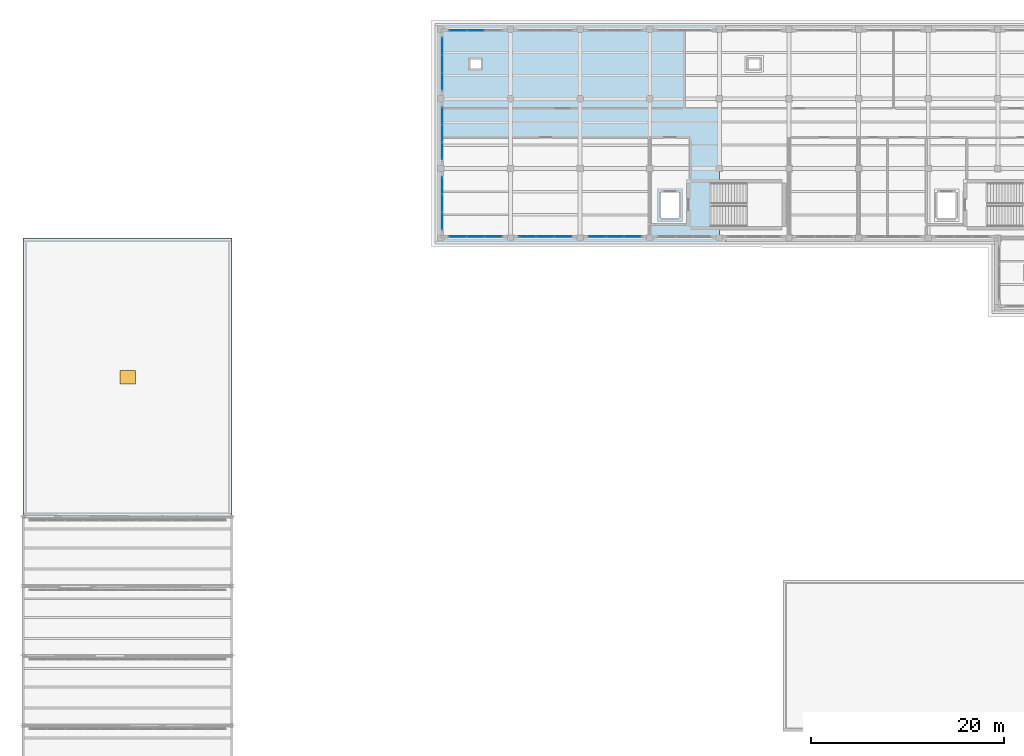
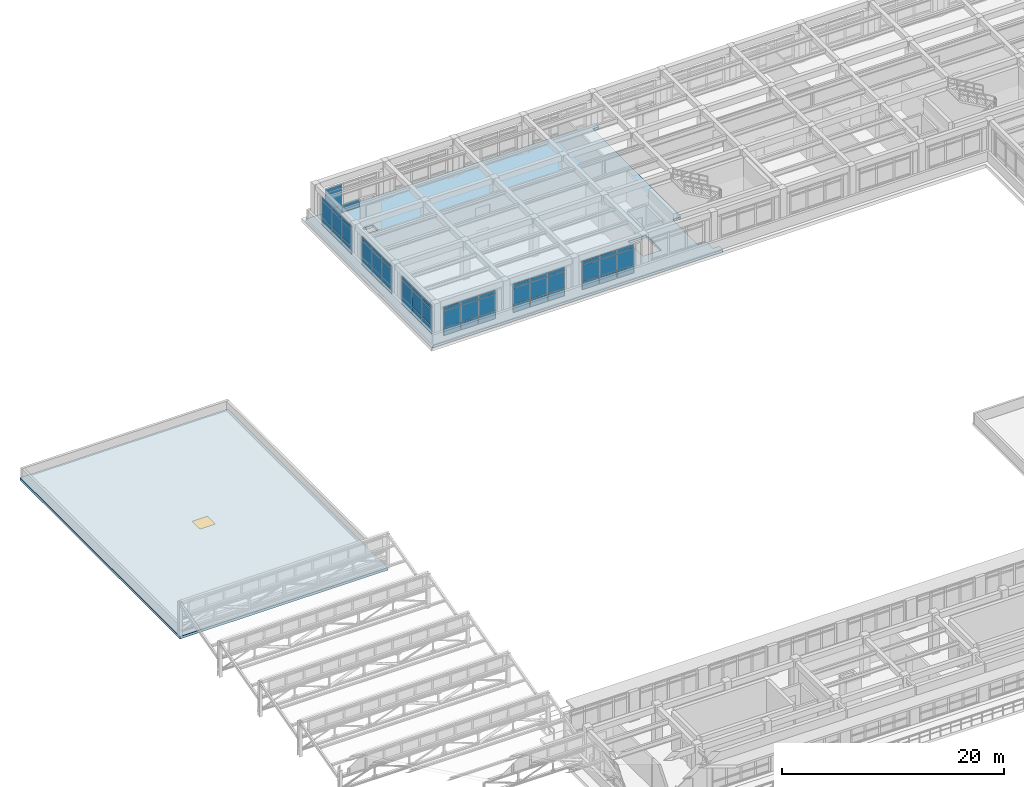
# One storey, part 38 of 55: 58 plates, 2 slabs, 1 window, 1 opening, 7 elements without a shape of their own.
"""IFC4 building model written with IfcOpenShell, lengths in metres."""

from ifc_helpers import new_model, si_unit, direction, frame, origin, origin_2d, place, context, subcontext, project, spatial, polyline, rectangle, outline, extrude, material, layer, layer_set, type_object, element, fill, aggregate, save


model = new_model("IFC4")

# Units and contexts
model_context = context("Model", 3, precision=1e-05, world=origin(), true_north=direction((0.0, 1.0)))
body_context = subcontext(model_context, "Body", "Model", "MODEL_VIEW")
ifc_project = project(units=[si_unit("LENGTHUNIT", "METRE"), si_unit("AREAUNIT", "SQUARE_METRE"), si_unit("VOLUMEUNIT", "CUBIC_METRE"), si_unit("PLANEANGLEUNIT", "RADIAN"), si_unit("MASSUNIT", "GRAM", prefix="KILO")], contexts=[model_context])

# Site, building, storey
site_placement = place(None, origin())
site = spatial("IfcSite", under=ifc_project, at=site_placement, CompositionType="ELEMENT")
building_placement = place(site_placement, origin())
building = spatial("IfcBuilding", under=site, at=building_placement, Name="Solenvale Faculty of Natural Sciences", CompositionType="ELEMENT")
storey_placement = place(building_placement, frame((0.0, 0.0, 22.5)))
storey = spatial("IfcBuildingStorey", under=building, at=storey_placement, Name="L05", CompositionType="ELEMENT", Elevation=22.5)

# Curtain wall, plates
ifc_material_1 = material(Name="Anodised bronze aluminium", Category="aluminium")
ifc_layer_1 = layer(ifc_material_1, 0.179931640625)
ifc_layer_set_1 = layer_set([ifc_layer_1], Name="Anodised bronze aluminium")
curtain_wall_type = type_object("IfcCurtainWallType", Name="CW-TWR-MOD", PredefinedType="USERDEFINED", material=ifc_layer_set_1)
curtain_wall_1_placement = place(storey_placement, origin())
curtain_wall_1 = element("IfcCurtainWall", 1, at=curtain_wall_1_placement, inside=storey, type_object=curtain_wall_type, Name="L05 Curtain Wall CW-L05-P2-E3-B10", ObjectType="UNITISED CURTAIN WALL", PredefinedType="USERDEFINED")
ifc_material_2 = material(Name="Triple low-E insulated glass", Category="glass")
ifc_layer_2 = layer(ifc_material_2, 0.0400390625)
ifc_layer_set_2 = layer_set([ifc_layer_2], Name="Triple low-E insulated glass")
plate_type_1 = type_object("IfcPlateType", Name="CWP-PNL-40", PredefinedType="CURTAIN_PANEL", material=ifc_layer_set_2)
plate_1_placement = place(storey_placement, frame((82.800048828125, 115.0576171875, 0.074951171875), z_axis=(0.0, 0.0, 1.0), x_axis=(-1.0, 0.0, 0.0)))
plate_1 = element("IfcPlate", 2, at=plate_1_placement, type_object=plate_type_1, Name="CW-04 panel 2.1", PredefinedType="CURTAIN_PANEL", context=body_context, shape_type="SweptSolid", body=[
    extrude(rectangle(XDim=1.75830078125, YDim=0.0400390625, at=origin_2d()), origin(), (0.0, 0.0, 1.0), 0.78759765625),
])
plate_2_placement = place(storey_placement, frame((80.9853515625, 115.0576171875, 0.074951171875), z_axis=(0.0, 0.0, 1.0), x_axis=(-1.0, 0.0, 0.0)))
plate_2 = element("IfcPlate", 3, at=plate_2_placement, type_object=plate_type_1, Name="CW-04 panel 3.1", PredefinedType="CURTAIN_PANEL", context=body_context, shape_type="SweptSolid", body=[
    extrude(rectangle(XDim=1.720947265625, YDim=0.0400390625, at=origin_2d()), origin(), (0.0, 0.0, 1.0), 0.78759765625),
])
plate_3_placement = place(storey_placement, frame((80.9853515625, 115.0576171875, 0.9375), z_axis=(0.0, 0.0, 1.0), x_axis=(-1.0, 0.0, 0.0)))
plate_3 = element("IfcPlate", 4, at=plate_3_placement, type_object=plate_type_1, Name="CW-04 panel 3.2", PredefinedType="CURTAIN_PANEL", context=body_context, shape_type="SweptSolid", body=[
    extrude(rectangle(XDim=1.720947265625, YDim=0.0400390625, at=origin_2d()), origin(), (0.0, 0.0, 1.0), 1.784912109375),
])
plate_4_placement = place(storey_placement, frame((80.9853515625, 115.0576171875, 2.79736328125), z_axis=(0.0, 0.0, 1.0), x_axis=(-1.0, 0.0, 0.0)))
plate_4 = element("IfcPlate", 5, at=plate_4_placement, type_object=plate_type_1, Name="CW-04 panel 3.3", PredefinedType="CURTAIN_PANEL", context=body_context, shape_type="SweptSolid", body=[
    extrude(rectangle(XDim=1.720947265625, YDim=0.0400390625, at=origin_2d()), origin(), (0.0, 0.0, 1.0), 0.387451171875),
])
aggregate(curtain_wall_1, [plate_1, plate_2, plate_3, plate_4])

curtain_wall_2_placement = place(storey_placement, origin())
curtain_wall_2 = element("IfcCurtainWall", 6, at=curtain_wall_2_placement, inside=storey, type_object=curtain_wall_type, Name="L05 Curtain Wall CW-L05-P2-E4-B1", ObjectType="UNITISED CURTAIN WALL", PredefinedType="USERDEFINED")
plate_5_placement = place(storey_placement, frame((79.342529296875, 113.41455078125, 0.074951171875), z_axis=(0.0, 0.0, 1.0), x_axis=(0.0, -1.0, 0.0)))
plate_5 = element("IfcPlate", 7, at=plate_5_placement, type_object=plate_type_1, Name="CW-04 panel 1.1", PredefinedType="CURTAIN_PANEL", context=body_context, shape_type="SweptSolid", body=[
    extrude(rectangle(XDim=1.720947265625, YDim=0.0400390625, at=origin_2d()), origin(), (0.0, 0.0, 1.0), 0.78759765625),
])
plate_6_placement = place(storey_placement, frame((79.342529296875, 113.41455078125, 0.9375), z_axis=(0.0, 0.0, 1.0), x_axis=(0.0, -1.0, 0.0)))
plate_6 = element("IfcPlate", 8, at=plate_6_placement, type_object=plate_type_1, Name="CW-04 panel 1.2", PredefinedType="CURTAIN_PANEL", context=body_context, shape_type="SweptSolid", body=[
    extrude(rectangle(XDim=1.720947265625, YDim=0.0400390625, at=origin_2d()), origin(), (0.0, 0.0, 1.0), 1.784912109375),
])
plate_7_placement = place(storey_placement, frame((79.342529296875, 113.41455078125, 2.79736328125), z_axis=(0.0, 0.0, 1.0), x_axis=(0.0, -1.0, 0.0)))
plate_7 = element("IfcPlate", 9, at=plate_7_placement, type_object=plate_type_1, Name="CW-04 panel 1.3", PredefinedType="CURTAIN_PANEL", context=body_context, shape_type="SweptSolid", body=[
    extrude(rectangle(XDim=1.720947265625, YDim=0.0400390625, at=origin_2d()), origin(), (0.0, 0.0, 1.0), 0.387451171875),
])
plate_8_placement = place(storey_placement, frame((79.342529296875, 111.60009765625, 0.074951171875), z_axis=(0.0, 0.0, 1.0), x_axis=(0.0, -1.0, 0.0)))
plate_8 = element("IfcPlate", 10, at=plate_8_placement, type_object=plate_type_1, Name="CW-04 panel 2.1", PredefinedType="CURTAIN_PANEL", context=body_context, shape_type="SweptSolid", body=[
    extrude(rectangle(XDim=1.75830078125, YDim=0.0400390625, at=origin_2d()), origin(), (0.0, 0.0, 1.0), 0.78759765625),
])
plate_9_placement = place(storey_placement, frame((79.342529296875, 111.60009765625, 0.9375), z_axis=(0.0, 0.0, 1.0), x_axis=(0.0, -1.0, 0.0)))
plate_9 = element("IfcPlate", 11, at=plate_9_placement, type_object=plate_type_1, Name="CW-04 panel 2.2", PredefinedType="CURTAIN_PANEL", context=body_context, shape_type="SweptSolid", body=[
    extrude(rectangle(XDim=1.75830078125, YDim=0.0400390625, at=origin_2d()), origin(), (0.0, 0.0, 1.0), 1.784912109375),
])
plate_10_placement = place(storey_placement, frame((79.342529296875, 111.60009765625, 2.79736328125), z_axis=(0.0, 0.0, 1.0), x_axis=(0.0, -1.0, 0.0)))
plate_10 = element("IfcPlate", 12, at=plate_10_placement, type_object=plate_type_1, Name="CW-04 panel 2.3", PredefinedType="CURTAIN_PANEL", context=body_context, shape_type="SweptSolid", body=[
    extrude(rectangle(XDim=1.75830078125, YDim=0.0400390625, at=origin_2d()), origin(), (0.0, 0.0, 1.0), 0.387451171875),
])
plate_11_placement = place(storey_placement, frame((79.342529296875, 109.785400390625, 0.074951171875), z_axis=(0.0, 0.0, 1.0), x_axis=(0.0, -1.0, 0.0)))
plate_11 = element("IfcPlate", 13, at=plate_11_placement, type_object=plate_type_1, Name="CW-04 panel 3.1", PredefinedType="CURTAIN_PANEL", context=body_context, shape_type="SweptSolid", body=[
    extrude(rectangle(XDim=1.720947265625, YDim=0.0400390625, at=origin_2d()), origin(), (0.0, 0.0, 1.0), 0.78759765625),
])
plate_12_placement = place(storey_placement, frame((79.342529296875, 109.785400390625, 0.9375), z_axis=(0.0, 0.0, 1.0), x_axis=(0.0, -1.0, 0.0)))
plate_12 = element("IfcPlate", 14, at=plate_12_placement, type_object=plate_type_1, Name="CW-04 panel 3.2", PredefinedType="CURTAIN_PANEL", context=body_context, shape_type="SweptSolid", body=[
    extrude(rectangle(XDim=1.720947265625, YDim=0.0400390625, at=origin_2d()), origin(), (0.0, 0.0, 1.0), 1.784912109375),
])
plate_13_placement = place(storey_placement, frame((79.342529296875, 109.785400390625, 2.79736328125), z_axis=(0.0, 0.0, 1.0), x_axis=(0.0, -1.0, 0.0)))
plate_13 = element("IfcPlate", 15, at=plate_13_placement, type_object=plate_type_1, Name="CW-04 panel 3.3", PredefinedType="CURTAIN_PANEL", context=body_context, shape_type="SweptSolid", body=[
    extrude(rectangle(XDim=1.720947265625, YDim=0.0400390625, at=origin_2d()), origin(), (0.0, 0.0, 1.0), 0.387451171875),
])
aggregate(curtain_wall_2, [plate_5, plate_6, plate_7, plate_8, plate_9, plate_10, plate_11, plate_12, plate_13])

curtain_wall_3_placement = place(storey_placement, origin())
curtain_wall_3 = element("IfcCurtainWall", 16, at=curtain_wall_3_placement, inside=storey, type_object=curtain_wall_type, Name="L05 Curtain Wall CW-L05-P2-E4-B2", ObjectType="UNITISED CURTAIN WALL", PredefinedType="USERDEFINED")
ifc_layer_3 = layer(ifc_material_2, 0.0439453125)
ifc_layer_set_3 = layer_set([ifc_layer_3], Name="Triple low-E insulated glass")
plate_type_2 = type_object("IfcPlateType", Name="CWP-PNL-44", PredefinedType="CURTAIN_PANEL", material=ifc_layer_set_3)
plate_14_placement = place(storey_placement, frame((79.342529296875, 106.214599609375, 0.074951171875), z_axis=(0.0, 0.0, 1.0), x_axis=(0.0, -1.0, 0.0)))
plate_14 = element("IfcPlate", 17, at=plate_14_placement, type_object=plate_type_2, Name="CW-04 panel 1.1", PredefinedType="CURTAIN_PANEL", context=body_context, shape_type="SweptSolid", body=[
    extrude(rectangle(XDim=1.720947265625, YDim=0.0439453125, at=origin_2d()), origin(), (0.0, 0.0, 1.0), 0.78759765625),
])
plate_15_placement = place(storey_placement, frame((79.342529296875, 106.214599609375, 0.9375), z_axis=(0.0, 0.0, 1.0), x_axis=(0.0, -1.0, 0.0)))
plate_15 = element("IfcPlate", 18, at=plate_15_placement, type_object=plate_type_2, Name="CW-04 panel 1.2", PredefinedType="CURTAIN_PANEL", context=body_context, shape_type="SweptSolid", body=[
    extrude(rectangle(XDim=1.720947265625, YDim=0.0439453125, at=origin_2d()), origin(), (0.0, 0.0, 1.0), 1.784912109375),
])
plate_16_placement = place(storey_placement, frame((79.342529296875, 106.214599609375, 2.79736328125), z_axis=(0.0, 0.0, 1.0), x_axis=(0.0, -1.0, 0.0)))
plate_16 = element("IfcPlate", 19, at=plate_16_placement, type_object=plate_type_2, Name="CW-04 panel 1.3", PredefinedType="CURTAIN_PANEL", context=body_context, shape_type="SweptSolid", body=[
    extrude(rectangle(XDim=1.720947265625, YDim=0.0439453125, at=origin_2d()), origin(), (0.0, 0.0, 1.0), 0.387451171875),
])
plate_17_placement = place(storey_placement, frame((79.342529296875, 104.39990234375, 0.074951171875), z_axis=(0.0, 0.0, 1.0), x_axis=(0.0, -1.0, 0.0)))
plate_17 = element("IfcPlate", 20, at=plate_17_placement, type_object=plate_type_2, Name="CW-04 panel 2.1", PredefinedType="CURTAIN_PANEL", context=body_context, shape_type="SweptSolid", body=[
    extrude(rectangle(XDim=1.75830078125, YDim=0.0439453125, at=origin_2d()), origin(), (0.0, 0.0, 1.0), 0.78759765625),
])
plate_18_placement = place(storey_placement, frame((79.342529296875, 104.39990234375, 0.9375), z_axis=(0.0, 0.0, 1.0), x_axis=(0.0, -1.0, 0.0)))
plate_18 = element("IfcPlate", 21, at=plate_18_placement, type_object=plate_type_2, Name="CW-04 panel 2.2", PredefinedType="CURTAIN_PANEL", context=body_context, shape_type="SweptSolid", body=[
    extrude(rectangle(XDim=1.75830078125, YDim=0.0439453125, at=origin_2d()), origin(), (0.0, 0.0, 1.0), 1.784912109375),
])
plate_19_placement = place(storey_placement, frame((79.342529296875, 104.39990234375, 2.79736328125), z_axis=(0.0, 0.0, 1.0), x_axis=(0.0, -1.0, 0.0)))
plate_19 = element("IfcPlate", 22, at=plate_19_placement, type_object=plate_type_2, Name="CW-04 panel 2.3", PredefinedType="CURTAIN_PANEL", context=body_context, shape_type="SweptSolid", body=[
    extrude(rectangle(XDim=1.75830078125, YDim=0.0439453125, at=origin_2d()), origin(), (0.0, 0.0, 1.0), 0.387451171875),
])
plate_20_placement = place(storey_placement, frame((79.342529296875, 102.58544921875, 0.074951171875), z_axis=(0.0, 0.0, 1.0), x_axis=(0.0, -1.0, 0.0)))
plate_20 = element("IfcPlate", 23, at=plate_20_placement, type_object=plate_type_2, Name="CW-04 panel 3.1", PredefinedType="CURTAIN_PANEL", context=body_context, shape_type="SweptSolid", body=[
    extrude(rectangle(XDim=1.720947265625, YDim=0.0439453125, at=origin_2d()), origin(), (0.0, 0.0, 1.0), 0.78759765625),
])
plate_21_placement = place(storey_placement, frame((79.342529296875, 102.58544921875, 0.9375), z_axis=(0.0, 0.0, 1.0), x_axis=(0.0, -1.0, 0.0)))
plate_21 = element("IfcPlate", 24, at=plate_21_placement, type_object=plate_type_2, Name="CW-04 panel 3.2", PredefinedType="CURTAIN_PANEL", context=body_context, shape_type="SweptSolid", body=[
    extrude(rectangle(XDim=1.720947265625, YDim=0.0439453125, at=origin_2d()), origin(), (0.0, 0.0, 1.0), 1.784912109375),
])
plate_22_placement = place(storey_placement, frame((79.342529296875, 102.58544921875, 2.79736328125), z_axis=(0.0, 0.0, 1.0), x_axis=(0.0, -1.0, 0.0)))
plate_22 = element("IfcPlate", 25, at=plate_22_placement, type_object=plate_type_2, Name="CW-04 panel 3.3", PredefinedType="CURTAIN_PANEL", context=body_context, shape_type="SweptSolid", body=[
    extrude(rectangle(XDim=1.720947265625, YDim=0.0439453125, at=origin_2d()), origin(), (0.0, 0.0, 1.0), 0.387451171875),
])
aggregate(curtain_wall_3, [plate_14, plate_15, plate_16, plate_17, plate_18, plate_19, plate_20, plate_21, plate_22])

curtain_wall_4_placement = place(storey_placement, origin())
curtain_wall_4 = element("IfcCurtainWall", 26, at=curtain_wall_4_placement, inside=storey, type_object=curtain_wall_type, Name="L05 Curtain Wall CW-L05-P2-E5-B1", ObjectType="UNITISED CURTAIN WALL", PredefinedType="USERDEFINED")
plate_23_placement = place(storey_placement, frame((80.9853515625, 93.742431640625, 0.074951171875), z_axis=(0.0, 0.0, 1.0), x_axis=(1.0, 0.0, 0.0)))
plate_23 = element("IfcPlate", 27, at=plate_23_placement, type_object=plate_type_2, Name="CW-04 panel 1.1", PredefinedType="CURTAIN_PANEL", context=body_context, shape_type="SweptSolid", body=[
    extrude(rectangle(XDim=1.720947265625, YDim=0.0439453125, at=origin_2d()), origin(), (0.0, 0.0, 1.0), 0.78759765625),
])
plate_24_placement = place(storey_placement, frame((80.9853515625, 93.742431640625, 0.9375), z_axis=(0.0, 0.0, 1.0), x_axis=(1.0, 0.0, 0.0)))
plate_24 = element("IfcPlate", 28, at=plate_24_placement, type_object=plate_type_2, Name="CW-04 panel 1.2", PredefinedType="CURTAIN_PANEL", context=body_context, shape_type="SweptSolid", body=[
    extrude(rectangle(XDim=1.720947265625, YDim=0.0439453125, at=origin_2d()), origin(), (0.0, 0.0, 1.0), 1.784912109375),
])
plate_25_placement = place(storey_placement, frame((80.9853515625, 93.742431640625, 2.79736328125), z_axis=(0.0, 0.0, 1.0), x_axis=(1.0, 0.0, 0.0)))
plate_25 = element("IfcPlate", 29, at=plate_25_placement, type_object=plate_type_2, Name="CW-04 panel 1.3", PredefinedType="CURTAIN_PANEL", context=body_context, shape_type="SweptSolid", body=[
    extrude(rectangle(XDim=1.720947265625, YDim=0.0439453125, at=origin_2d()), origin(), (0.0, 0.0, 1.0), 0.387451171875),
])
plate_26_placement = place(storey_placement, frame((82.800048828125, 93.742431640625, 0.074951171875), z_axis=(0.0, 0.0, 1.0), x_axis=(1.0, 0.0, 0.0)))
plate_26 = element("IfcPlate", 30, at=plate_26_placement, type_object=plate_type_2, Name="CW-04 panel 2.1", PredefinedType="CURTAIN_PANEL", context=body_context, shape_type="SweptSolid", body=[
    extrude(rectangle(XDim=1.75830078125, YDim=0.0439453125, at=origin_2d()), origin(), (0.0, 0.0, 1.0), 0.78759765625),
])
plate_27_placement = place(storey_placement, frame((82.800048828125, 93.742431640625, 0.9375), z_axis=(0.0, 0.0, 1.0), x_axis=(1.0, 0.0, 0.0)))
plate_27 = element("IfcPlate", 31, at=plate_27_placement, type_object=plate_type_2, Name="CW-04 panel 2.2", PredefinedType="CURTAIN_PANEL", context=body_context, shape_type="SweptSolid", body=[
    extrude(rectangle(XDim=1.75830078125, YDim=0.0439453125, at=origin_2d()), origin(), (0.0, 0.0, 1.0), 1.784912109375),
])
plate_28_placement = place(storey_placement, frame((82.800048828125, 93.742431640625, 2.79736328125), z_axis=(0.0, 0.0, 1.0), x_axis=(1.0, 0.0, 0.0)))
plate_28 = element("IfcPlate", 32, at=plate_28_placement, type_object=plate_type_2, Name="CW-04 panel 2.3", PredefinedType="CURTAIN_PANEL", context=body_context, shape_type="SweptSolid", body=[
    extrude(rectangle(XDim=1.75830078125, YDim=0.0439453125, at=origin_2d()), origin(), (0.0, 0.0, 1.0), 0.387451171875),
])
plate_29_placement = place(storey_placement, frame((84.614501953125, 93.742431640625, 0.074951171875), z_axis=(0.0, 0.0, 1.0), x_axis=(1.0, 0.0, 0.0)))
plate_29 = element("IfcPlate", 33, at=plate_29_placement, type_object=plate_type_2, Name="CW-04 panel 3.1", PredefinedType="CURTAIN_PANEL", context=body_context, shape_type="SweptSolid", body=[
    extrude(rectangle(XDim=1.720947265625, YDim=0.0439453125, at=origin_2d()), origin(), (0.0, 0.0, 1.0), 0.78759765625),
])
plate_30_placement = place(storey_placement, frame((84.614501953125, 93.742431640625, 0.9375), z_axis=(0.0, 0.0, 1.0), x_axis=(1.0, 0.0, 0.0)))
plate_30 = element("IfcPlate", 34, at=plate_30_placement, type_object=plate_type_2, Name="CW-04 panel 3.2", PredefinedType="CURTAIN_PANEL", context=body_context, shape_type="SweptSolid", body=[
    extrude(rectangle(XDim=1.720947265625, YDim=0.0439453125, at=origin_2d()), origin(), (0.0, 0.0, 1.0), 1.784912109375),
])
plate_31_placement = place(storey_placement, frame((84.614501953125, 93.742431640625, 2.79736328125), z_axis=(0.0, 0.0, 1.0), x_axis=(1.0, 0.0, 0.0)))
plate_31 = element("IfcPlate", 35, at=plate_31_placement, type_object=plate_type_2, Name="CW-04 panel 3.3", PredefinedType="CURTAIN_PANEL", context=body_context, shape_type="SweptSolid", body=[
    extrude(rectangle(XDim=1.720947265625, YDim=0.0439453125, at=origin_2d()), origin(), (0.0, 0.0, 1.0), 0.387451171875),
])
aggregate(curtain_wall_4, [plate_23, plate_24, plate_25, plate_26, plate_27, plate_28, plate_29, plate_30, plate_31])

curtain_wall_5_placement = place(storey_placement, origin())
curtain_wall_5 = element("IfcCurtainWall", 36, at=curtain_wall_5_placement, inside=storey, type_object=curtain_wall_type, Name="L05 Curtain Wall CW-L05-P2-E4-B3", ObjectType="UNITISED CURTAIN WALL", PredefinedType="USERDEFINED")
ifc_layer_4 = layer(ifc_material_1, 0.048095703125)
ifc_layer_set_4 = layer_set([ifc_layer_4], Name="Anodised bronze aluminium")
plate_type_3 = type_object("IfcPlateType", Name="CWP-PNL-48", PredefinedType="CURTAIN_PANEL", material=ifc_layer_set_4)
plate_32_placement = place(storey_placement, frame((79.342529296875, 99.0146484375, 0.074951171875), z_axis=(0.0, 0.0, 1.0), x_axis=(0.0, -1.0, 0.0)))
plate_32 = element("IfcPlate", 37, at=plate_32_placement, type_object=plate_type_3, Name="CW-04 panel 1.1", PredefinedType="CURTAIN_PANEL", context=body_context, shape_type="SweptSolid", body=[
    extrude(rectangle(XDim=1.720947265625, YDim=0.048095703125, at=origin_2d()), origin(), (0.0, 0.0, 1.0), 0.78759765625),
])
plate_33_placement = place(storey_placement, frame((79.342529296875, 99.0146484375, 0.9375), z_axis=(0.0, 0.0, 1.0), x_axis=(0.0, -1.0, 0.0)))
plate_33 = element("IfcPlate", 38, at=plate_33_placement, type_object=plate_type_3, Name="CW-04 panel 1.2", PredefinedType="CURTAIN_PANEL", context=body_context, shape_type="SweptSolid", body=[
    extrude(rectangle(XDim=1.720947265625, YDim=0.048095703125, at=origin_2d()), origin(), (0.0, 0.0, 1.0), 1.784912109375),
])
plate_34_placement = place(storey_placement, frame((79.342529296875, 99.0146484375, 2.79736328125), z_axis=(0.0, 0.0, 1.0), x_axis=(0.0, -1.0, 0.0)))
plate_34 = element("IfcPlate", 39, at=plate_34_placement, type_object=plate_type_3, Name="CW-04 panel 1.3", PredefinedType="CURTAIN_PANEL", context=body_context, shape_type="SweptSolid", body=[
    extrude(rectangle(XDim=1.720947265625, YDim=0.048095703125, at=origin_2d()), origin(), (0.0, 0.0, 1.0), 0.387451171875),
])
plate_35_placement = place(storey_placement, frame((79.342529296875, 97.199951171875, 0.074951171875), z_axis=(0.0, 0.0, 1.0), x_axis=(0.0, -1.0, 0.0)))
plate_35 = element("IfcPlate", 40, at=plate_35_placement, type_object=plate_type_3, Name="CW-04 panel 2.1", PredefinedType="CURTAIN_PANEL", context=body_context, shape_type="SweptSolid", body=[
    extrude(rectangle(XDim=1.75830078125, YDim=0.048095703125, at=origin_2d()), origin(), (0.0, 0.0, 1.0), 0.78759765625),
])
plate_36_placement = place(storey_placement, frame((79.342529296875, 97.199951171875, 0.9375), z_axis=(0.0, 0.0, 1.0), x_axis=(0.0, -1.0, 0.0)))
plate_36 = element("IfcPlate", 41, at=plate_36_placement, type_object=plate_type_3, Name="CW-04 panel 2.2", PredefinedType="CURTAIN_PANEL", context=body_context, shape_type="SweptSolid", body=[
    extrude(rectangle(XDim=1.75830078125, YDim=0.048095703125, at=origin_2d()), origin(), (0.0, 0.0, 1.0), 1.784912109375),
])
plate_37_placement = place(storey_placement, frame((79.342529296875, 97.199951171875, 2.79736328125), z_axis=(0.0, 0.0, 1.0), x_axis=(0.0, -1.0, 0.0)))
plate_37 = element("IfcPlate", 42, at=plate_37_placement, type_object=plate_type_3, Name="CW-04 panel 2.3", PredefinedType="CURTAIN_PANEL", context=body_context, shape_type="SweptSolid", body=[
    extrude(rectangle(XDim=1.75830078125, YDim=0.048095703125, at=origin_2d()), origin(), (0.0, 0.0, 1.0), 0.387451171875),
])
plate_38_placement = place(storey_placement, frame((79.342529296875, 95.385498046875, 0.074951171875), z_axis=(0.0, 0.0, 1.0), x_axis=(0.0, -1.0, 0.0)))
plate_38 = element("IfcPlate", 43, at=plate_38_placement, type_object=plate_type_3, Name="CW-04 panel 3.1", PredefinedType="CURTAIN_PANEL", context=body_context, shape_type="SweptSolid", body=[
    extrude(rectangle(XDim=1.720947265625, YDim=0.048095703125, at=origin_2d()), origin(), (0.0, 0.0, 1.0), 0.78759765625),
])
plate_39_placement = place(storey_placement, frame((79.342529296875, 95.385498046875, 0.9375), z_axis=(0.0, 0.0, 1.0), x_axis=(0.0, -1.0, 0.0)))
plate_39 = element("IfcPlate", 44, at=plate_39_placement, type_object=plate_type_3, Name="CW-04 panel 3.2", PredefinedType="CURTAIN_PANEL", context=body_context, shape_type="SweptSolid", body=[
    extrude(rectangle(XDim=1.720947265625, YDim=0.048095703125, at=origin_2d()), origin(), (0.0, 0.0, 1.0), 1.784912109375),
])
plate_40_placement = place(storey_placement, frame((79.342529296875, 95.385498046875, 2.79736328125), z_axis=(0.0, 0.0, 1.0), x_axis=(0.0, -1.0, 0.0)))
plate_40 = element("IfcPlate", 45, at=plate_40_placement, type_object=plate_type_3, Name="CW-04 panel 3.3", PredefinedType="CURTAIN_PANEL", context=body_context, shape_type="SweptSolid", body=[
    extrude(rectangle(XDim=1.720947265625, YDim=0.048095703125, at=origin_2d()), origin(), (0.0, 0.0, 1.0), 0.387451171875),
])
aggregate(curtain_wall_5, [plate_32, plate_33, plate_34, plate_35, plate_36, plate_37, plate_38, plate_39, plate_40])

curtain_wall_6_placement = place(storey_placement, origin())
curtain_wall_6 = element("IfcCurtainWall", 46, at=curtain_wall_6_placement, inside=storey, type_object=curtain_wall_type, Name="L05 Curtain Wall CW-L05-P2-E5-B2", ObjectType="UNITISED CURTAIN WALL", PredefinedType="USERDEFINED")
plate_41_placement = place(storey_placement, frame((88.185302734375, 93.742431640625, 0.074951171875), z_axis=(0.0, 0.0, 1.0), x_axis=(1.0, 0.0, 0.0)))
plate_41 = element("IfcPlate", 47, at=plate_41_placement, type_object=plate_type_3, Name="CW-04 panel 1.1", PredefinedType="CURTAIN_PANEL", context=body_context, shape_type="SweptSolid", body=[
    extrude(rectangle(XDim=1.720947265625, YDim=0.048095703125, at=origin_2d()), origin(), (0.0, 0.0, 1.0), 0.78759765625),
])
plate_42_placement = place(storey_placement, frame((88.185302734375, 93.742431640625, 0.9375), z_axis=(0.0, 0.0, 1.0), x_axis=(1.0, 0.0, 0.0)))
plate_42 = element("IfcPlate", 48, at=plate_42_placement, type_object=plate_type_3, Name="CW-04 panel 1.2", PredefinedType="CURTAIN_PANEL", context=body_context, shape_type="SweptSolid", body=[
    extrude(rectangle(XDim=1.720947265625, YDim=0.048095703125, at=origin_2d()), origin(), (0.0, 0.0, 1.0), 1.784912109375),
])
plate_43_placement = place(storey_placement, frame((88.185302734375, 93.742431640625, 2.79736328125), z_axis=(0.0, 0.0, 1.0), x_axis=(1.0, 0.0, 0.0)))
plate_43 = element("IfcPlate", 49, at=plate_43_placement, type_object=plate_type_3, Name="CW-04 panel 1.3", PredefinedType="CURTAIN_PANEL", context=body_context, shape_type="SweptSolid", body=[
    extrude(rectangle(XDim=1.720947265625, YDim=0.048095703125, at=origin_2d()), origin(), (0.0, 0.0, 1.0), 0.387451171875),
])
plate_44_placement = place(storey_placement, frame((90.0, 93.742431640625, 0.074951171875), z_axis=(0.0, 0.0, 1.0), x_axis=(1.0, 0.0, 0.0)))
plate_44 = element("IfcPlate", 50, at=plate_44_placement, type_object=plate_type_3, Name="CW-04 panel 2.1", PredefinedType="CURTAIN_PANEL", context=body_context, shape_type="SweptSolid", body=[
    extrude(rectangle(XDim=1.75830078125, YDim=0.048095703125, at=origin_2d()), origin(), (0.0, 0.0, 1.0), 0.78759765625),
])
plate_45_placement = place(storey_placement, frame((90.0, 93.742431640625, 0.9375), z_axis=(0.0, 0.0, 1.0), x_axis=(1.0, 0.0, 0.0)))
plate_45 = element("IfcPlate", 51, at=plate_45_placement, type_object=plate_type_3, Name="CW-04 panel 2.2", PredefinedType="CURTAIN_PANEL", context=body_context, shape_type="SweptSolid", body=[
    extrude(rectangle(XDim=1.75830078125, YDim=0.048095703125, at=origin_2d()), origin(), (0.0, 0.0, 1.0), 1.784912109375),
])
plate_46_placement = place(storey_placement, frame((90.0, 93.742431640625, 2.79736328125), z_axis=(0.0, 0.0, 1.0), x_axis=(1.0, 0.0, 0.0)))
plate_46 = element("IfcPlate", 52, at=plate_46_placement, type_object=plate_type_3, Name="CW-04 panel 2.3", PredefinedType="CURTAIN_PANEL", context=body_context, shape_type="SweptSolid", body=[
    extrude(rectangle(XDim=1.75830078125, YDim=0.048095703125, at=origin_2d()), origin(), (0.0, 0.0, 1.0), 0.387451171875),
])
plate_47_placement = place(storey_placement, frame((91.814697265625, 93.742431640625, 0.074951171875), z_axis=(0.0, 0.0, 1.0), x_axis=(1.0, 0.0, 0.0)))
plate_47 = element("IfcPlate", 53, at=plate_47_placement, type_object=plate_type_3, Name="CW-04 panel 3.1", PredefinedType="CURTAIN_PANEL", context=body_context, shape_type="SweptSolid", body=[
    extrude(rectangle(XDim=1.720947265625, YDim=0.048095703125, at=origin_2d()), origin(), (0.0, 0.0, 1.0), 0.78759765625),
])
plate_48_placement = place(storey_placement, frame((91.814697265625, 93.742431640625, 0.9375), z_axis=(0.0, 0.0, 1.0), x_axis=(1.0, 0.0, 0.0)))
plate_48 = element("IfcPlate", 54, at=plate_48_placement, type_object=plate_type_3, Name="CW-04 panel 3.2", PredefinedType="CURTAIN_PANEL", context=body_context, shape_type="SweptSolid", body=[
    extrude(rectangle(XDim=1.720947265625, YDim=0.048095703125, at=origin_2d()), origin(), (0.0, 0.0, 1.0), 1.784912109375),
])
plate_49_placement = place(storey_placement, frame((91.814697265625, 93.742431640625, 2.79736328125), z_axis=(0.0, 0.0, 1.0), x_axis=(1.0, 0.0, 0.0)))
plate_49 = element("IfcPlate", 55, at=plate_49_placement, type_object=plate_type_3, Name="CW-04 panel 3.3", PredefinedType="CURTAIN_PANEL", context=body_context, shape_type="SweptSolid", body=[
    extrude(rectangle(XDim=1.720947265625, YDim=0.048095703125, at=origin_2d()), origin(), (0.0, 0.0, 1.0), 0.387451171875),
])
aggregate(curtain_wall_6, [plate_41, plate_42, plate_43, plate_44, plate_45, plate_46, plate_47, plate_48, plate_49])

curtain_wall_7_placement = place(storey_placement, origin())
curtain_wall_7 = element("IfcCurtainWall", 56, at=curtain_wall_7_placement, inside=storey, type_object=curtain_wall_type, Name="L05 Curtain Wall CW-L05-P2-E5-B3", ObjectType="UNITISED CURTAIN WALL", PredefinedType="USERDEFINED")
ifc_layer_5 = layer(ifc_material_1, 0.053955078125)
ifc_layer_set_5 = layer_set([ifc_layer_5], Name="Anodised bronze aluminium")
plate_type_4 = type_object("IfcPlateType", Name="CWP-PNL-54", PredefinedType="CURTAIN_PANEL", material=ifc_layer_set_5)
plate_50_placement = place(storey_placement, frame((95.385498046875, 93.742431640625, 0.074951171875), z_axis=(0.0, 0.0, 1.0), x_axis=(1.0, 0.0, 0.0)))
plate_50 = element("IfcPlate", 57, at=plate_50_placement, type_object=plate_type_4, Name="CW-04 panel 1.1", PredefinedType="CURTAIN_PANEL", context=body_context, shape_type="SweptSolid", body=[
    extrude(rectangle(XDim=1.720947265625, YDim=0.053955078125, at=origin_2d()), origin(), (0.0, 0.0, 1.0), 0.78759765625),
])
plate_51_placement = place(storey_placement, frame((95.385498046875, 93.742431640625, 0.9375), z_axis=(0.0, 0.0, 1.0), x_axis=(1.0, 0.0, 0.0)))
plate_51 = element("IfcPlate", 58, at=plate_51_placement, type_object=plate_type_4, Name="CW-04 panel 1.2", PredefinedType="CURTAIN_PANEL", context=body_context, shape_type="SweptSolid", body=[
    extrude(rectangle(XDim=1.720947265625, YDim=0.053955078125, at=origin_2d()), origin(), (0.0, 0.0, 1.0), 1.784912109375),
])
plate_52_placement = place(storey_placement, frame((95.385498046875, 93.742431640625, 2.79736328125), z_axis=(0.0, 0.0, 1.0), x_axis=(1.0, 0.0, 0.0)))
plate_52 = element("IfcPlate", 59, at=plate_52_placement, type_object=plate_type_4, Name="CW-04 panel 1.3", PredefinedType="CURTAIN_PANEL", context=body_context, shape_type="SweptSolid", body=[
    extrude(rectangle(XDim=1.720947265625, YDim=0.053955078125, at=origin_2d()), origin(), (0.0, 0.0, 1.0), 0.387451171875),
])
plate_53_placement = place(storey_placement, frame((97.199951171875, 93.742431640625, 0.074951171875), z_axis=(0.0, 0.0, 1.0), x_axis=(1.0, 0.0, 0.0)))
plate_53 = element("IfcPlate", 60, at=plate_53_placement, type_object=plate_type_4, Name="CW-04 panel 2.1", PredefinedType="CURTAIN_PANEL", context=body_context, shape_type="SweptSolid", body=[
    extrude(rectangle(XDim=1.75830078125, YDim=0.053955078125, at=origin_2d()), origin(), (0.0, 0.0, 1.0), 0.78759765625),
])
plate_54_placement = place(storey_placement, frame((97.199951171875, 93.742431640625, 0.9375), z_axis=(0.0, 0.0, 1.0), x_axis=(1.0, 0.0, 0.0)))
plate_54 = element("IfcPlate", 61, at=plate_54_placement, type_object=plate_type_4, Name="CW-04 panel 2.2", PredefinedType="CURTAIN_PANEL", context=body_context, shape_type="SweptSolid", body=[
    extrude(rectangle(XDim=1.75830078125, YDim=0.053955078125, at=origin_2d()), origin(), (0.0, 0.0, 1.0), 1.784912109375),
])
plate_55_placement = place(storey_placement, frame((97.199951171875, 93.742431640625, 2.79736328125), z_axis=(0.0, 0.0, 1.0), x_axis=(1.0, 0.0, 0.0)))
plate_55 = element("IfcPlate", 62, at=plate_55_placement, type_object=plate_type_4, Name="CW-04 panel 2.3", PredefinedType="CURTAIN_PANEL", context=body_context, shape_type="SweptSolid", body=[
    extrude(rectangle(XDim=1.75830078125, YDim=0.053955078125, at=origin_2d()), origin(), (0.0, 0.0, 1.0), 0.387451171875),
])
plate_56_placement = place(storey_placement, frame((99.0146484375, 93.742431640625, 0.074951171875), z_axis=(0.0, 0.0, 1.0), x_axis=(1.0, 0.0, 0.0)))
plate_56 = element("IfcPlate", 63, at=plate_56_placement, type_object=plate_type_4, Name="CW-04 panel 3.1", PredefinedType="CURTAIN_PANEL", context=body_context, shape_type="SweptSolid", body=[
    extrude(rectangle(XDim=1.720947265625, YDim=0.053955078125, at=origin_2d()), origin(), (0.0, 0.0, 1.0), 0.78759765625),
])
plate_57_placement = place(storey_placement, frame((99.0146484375, 93.742431640625, 0.9375), z_axis=(0.0, 0.0, 1.0), x_axis=(1.0, 0.0, 0.0)))
plate_57 = element("IfcPlate", 64, at=plate_57_placement, type_object=plate_type_4, Name="CW-04 panel 3.2", PredefinedType="CURTAIN_PANEL", context=body_context, shape_type="SweptSolid", body=[
    extrude(rectangle(XDim=1.720947265625, YDim=0.053955078125, at=origin_2d()), origin(), (0.0, 0.0, 1.0), 1.784912109375),
])
plate_58_placement = place(storey_placement, frame((99.0146484375, 93.742431640625, 2.79736328125), z_axis=(0.0, 0.0, 1.0), x_axis=(1.0, 0.0, 0.0)))
plate_58 = element("IfcPlate", 65, at=plate_58_placement, type_object=plate_type_4, Name="CW-04 panel 3.3", PredefinedType="CURTAIN_PANEL", context=body_context, shape_type="SweptSolid", body=[
    extrude(rectangle(XDim=1.720947265625, YDim=0.053955078125, at=origin_2d()), origin(), (0.0, 0.0, 1.0), 0.387451171875),
])
aggregate(curtain_wall_7, [plate_50, plate_51, plate_52, plate_53, plate_54, plate_55, plate_56, plate_57, plate_58])

# Slab
ifc_material_3 = material(Name="Concrete 40 MPa", Category="concrete")
ifc_layer_6 = layer(ifc_material_3, 0.280029296875)
ifc_layer_set_6 = layer_set([ifc_layer_6], Name="Concrete 40 MPa")
slab_type_1 = type_object("IfcSlabType", Name="SL-FLR-280", PredefinedType="FLOOR", material=ifc_layer_set_6)
slab_1_placement = place(storey_placement, frame((0.0, 0.0, -0.280029296875)))
element("IfcSlab", 66, at=slab_1_placement, inside=storey, type_object=slab_type_1, Name="L05 V5 Floor Slab 1.1", PredefinedType="FLOOR", context=body_context, shape_type="SweptSolid", body=[
    extrude(outline(polyline([(107.139892578125, 94.800048828125), (108.0048828125, 94.800048828125), (108.0244140625, 94.791015625), (108.030029296875, 94.77490234375), (108.031005859375, 93.593505859375), (108.0498046875, 93.580078125), (108.655029296875, 93.580078125), (108.672607421875, 93.57275390625), (108.679931640625, 93.554931640625), (108.679931640625, 92.945068359375), (108.6708984375, 92.92578125), (108.655029296875, 92.919921875), (78.531005859375, 92.92431640625), (78.52001953125, 92.945068359375), (78.524169921875, 115.868896484375), (78.544921875, 115.8798828125), (108.6689453125, 115.875732421875), (108.679931640625, 115.85498046875), (108.679931640625, 115.2451171875), (108.672607421875, 115.227294921875), (108.655029296875, 115.219970703125), (108.0498046875, 115.219970703125), (108.036376953125, 115.214599609375), (108.030029296875, 115.201416015625), (108.030029296875, 99.324951171875), (108.022705078125, 99.307373046875), (108.0048828125, 99.300048828125), (107.139892578125, 99.300048828125), (107.139892578125, 94.800048828125)]), holes=[polyline([(101.9599609375, 95.659912109375), (103.840087890625, 95.659912109375), (103.840087890625, 98.340087890625), (101.9599609375, 98.340087890625), (101.9599609375, 95.659912109375)]), polyline([(82.25, 111.14990234375), (83.35009765625, 111.14990234375), (83.35009765625, 112.050048828125), (82.25, 112.050048828125), (82.25, 111.14990234375)])]), origin(), (0.0, 0.0, 1.0), 0.280029296875),
])

# Slab, opening, window
ifc_layer_7 = layer(ifc_material_3, 0.280029296875)
ifc_layer_set_7 = layer_set([ifc_layer_7], Name="Concrete 40 MPa")
slab_type_2 = type_object("IfcSlabType", Name="SL-ROOF-280", PredefinedType="ROOF", material=ifc_layer_set_7)
slab_2_placement = place(storey_placement, frame((0.0, 0.0, -0.280029296875)))
slab_2 = element("IfcSlab", 67, at=slab_2_placement, inside=storey, type_object=slab_type_2, Name="L05 Flat Roof Deck 2", PredefinedType="ROOF", context=body_context, shape_type="SweptSolid", body=[
    extrude(outline(polyline([(36.0, 64.800048828125), (36.0, 93.60009765625), (57.60009765625, 93.60009765625), (57.60009765625, 64.800048828125), (36.0, 64.800048828125)])), origin(), (0.0, 0.0, 1.0), 0.280029296875),
])
opening_placement = place(slab_2_placement, frame((46.800048828125, 79.199951171875, -0.010009765625)))
opening = element("IfcOpeningElement", 68, at=opening_placement, cuts=slab_2, Name="Opening SK-03", PredefinedType="OPENING", context=body_context, shape_type="SweptSolid", body=[
    extrude(rectangle(XDim=1.60009765625, YDim=1.39990234375, at=origin_2d()), origin(), (0.0, 0.0, 1.0), 0.300048828125),
])
ifc_material_4 = material(Name="North-light skylight glass", Category="glass")
window_type = type_object("IfcWindowType", Name="SK-HT-1600x1400", PartitioningType="SINGLE_PANEL", PredefinedType="SKYLIGHT", material=ifc_material_4)
window_placement = place(slab_2_placement, frame((46.800048828125, 79.199951171875, 0.22998046875)))
window = element("IfcWindow", 69, at=window_placement, inside=storey, type_object=window_type, Name="L05 Roof Skylight Hatch 3", OverallHeight=1.39990234375, OverallWidth=1.60009765625, PartitioningType="SINGLE_PANEL", PredefinedType="SKYLIGHT", context=body_context, shape_type="SweptSolid", body=[
    extrude(rectangle(XDim=1.60009765625, YDim=1.39990234375, at=origin_2d()), origin(), (0.0, 0.0, 1.0), 0.050048828125),
])
fill(opening, window)

save(model, "model.ifc")
